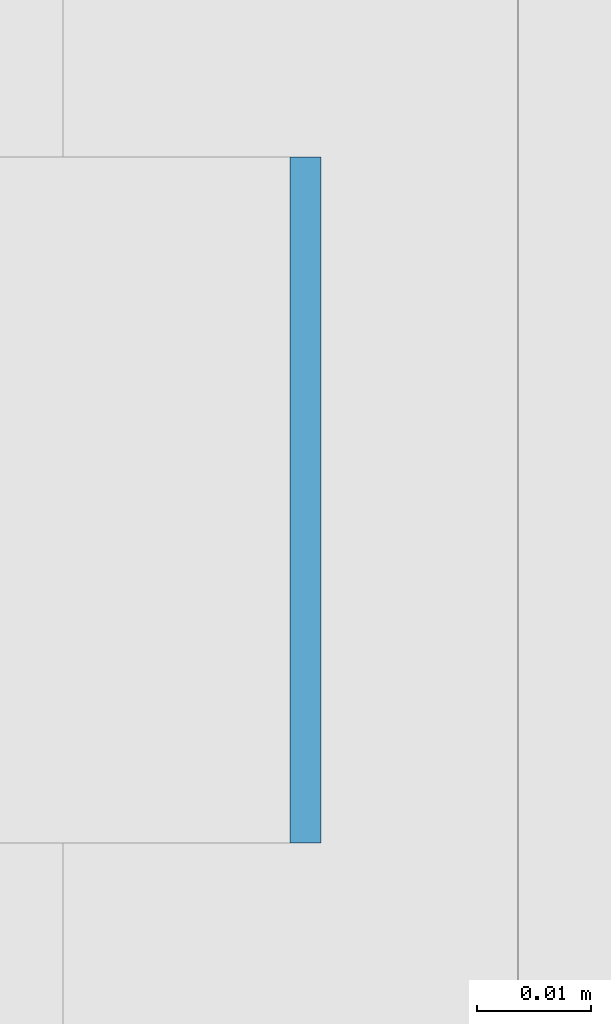
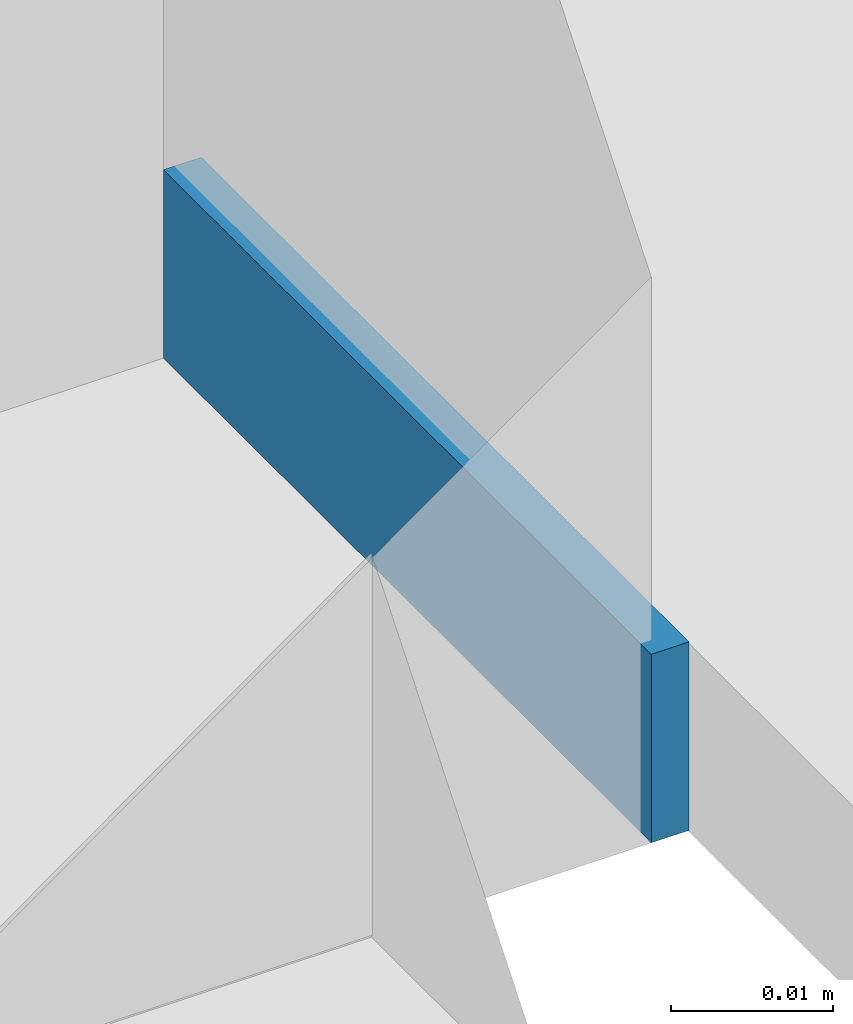
# One storey, part 322 of 646: 1 discrete accessory.
"""IFC4 building model written with IfcOpenShell, lengths in metres."""

from ifc_helpers import new_model, si_unit, direction, frame, origin, origin_2d, place, context, subcontext, project, spatial, rectangle, extrude, material, type_object, element, save


model = new_model("IFC4")

# Units and contexts
model_context = context("Model", 3, precision=1e-05, world=origin(), true_north=direction((0.0, 1.0)))
body_context = subcontext(model_context, "Body", "Model", "MODEL_VIEW")
ifc_project = project(units=[si_unit("LENGTHUNIT", "METRE"), si_unit("AREAUNIT", "SQUARE_METRE"), si_unit("VOLUMEUNIT", "CUBIC_METRE"), si_unit("PLANEANGLEUNIT", "RADIAN"), si_unit("MASSUNIT", "GRAM", prefix="KILO")], contexts=[model_context])

# Site, building, storey
site_placement = place(None, origin())
site = spatial("IfcSite", under=ifc_project, at=site_placement, CompositionType="ELEMENT")
building_placement = place(site_placement, origin())
building = spatial("IfcBuilding", under=site, at=building_placement, Name="Silverbay Arena", CompositionType="ELEMENT")
storey_placement = place(building_placement, frame((0.0, 0.0, 33.5)))
storey = spatial("IfcBuildingStorey", under=building, at=storey_placement, Name="L05", CompositionType="ELEMENT", Elevation=33.5)

# Discrete accessory
ifc_material = material(Name="Steel S355", Category="steel")
discrete_accessory_type = type_object("IfcDiscreteAccessoryType", Name="Steel bracket plate", PredefinedType="BRACKET", material=ifc_material)
discrete_accessory_placement = place(storey_placement, frame((53.871337890625, 74.571533203125, 4.0), z_axis=(0.0, 0.0, 1.0), x_axis=(1.0, 0.0, 0.0)))
element("IfcDiscreteAccessory", 1, at=discrete_accessory_placement, inside=storey, type_object=discrete_accessory_type, Name="Curtain wall packing plate", PredefinedType="BRACKET", context=body_context, shape_type="SweptSolid", body=[
    extrude(rectangle(XDim=0.002685546875, YDim=0.06005859375, at=origin_2d()), origin(), (0.0, 0.0, 1.0), 0.01416015625),
])

save(model, "model.ifc")
